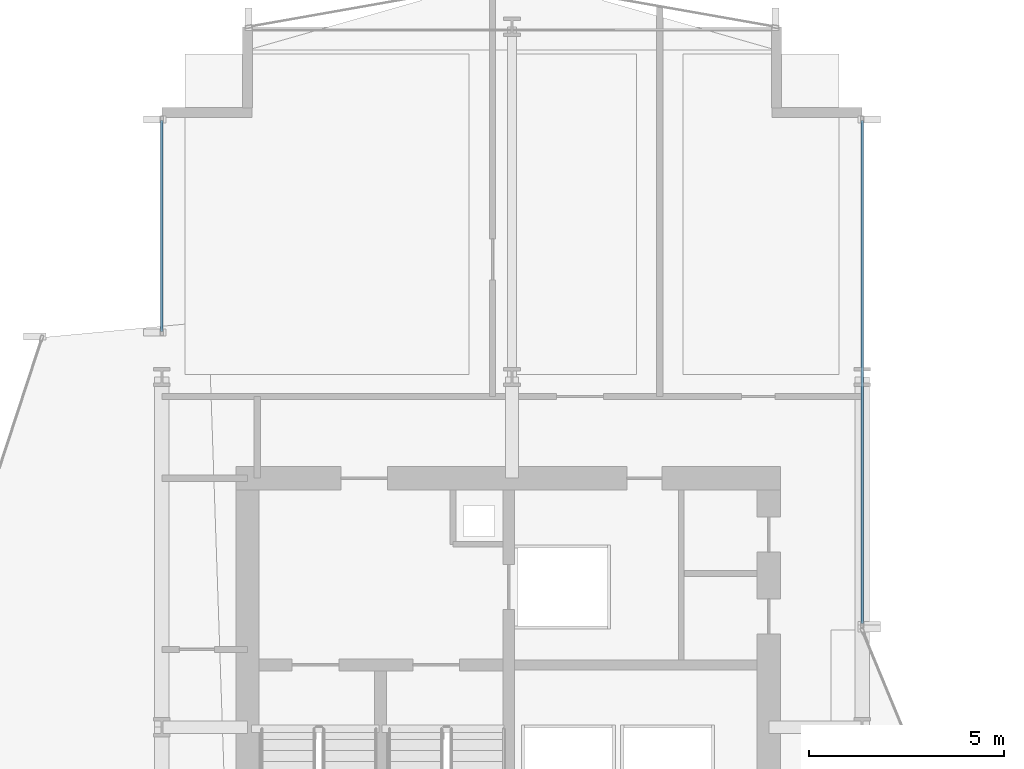
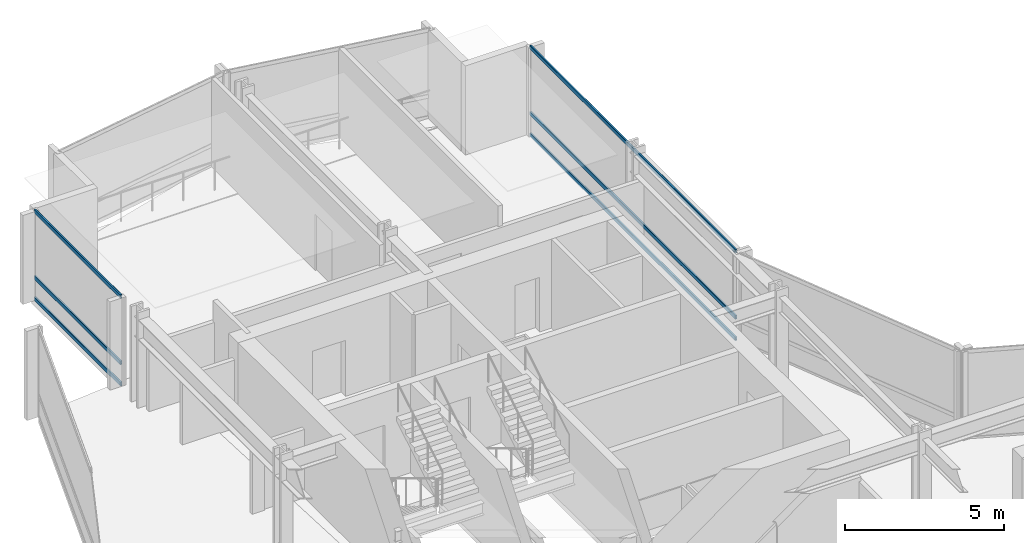
# One storey, part 22 of 34: 6 members, 2 elements without a shape of their own.
"""IFC4 building model written with IfcOpenShell, lengths in metres."""

from ifc_helpers import new_model, si_unit, direction, frame, origin, origin_2d, place, context, subcontext, project, spatial, hollow_rectangle, extrude, material, layer, layer_set, material_profile, profile_set, type_object, element, aggregate, save


model = new_model("IFC4")

# Units and contexts
model_context = context("Model", 3, precision=1e-05, world=origin(), true_north=direction((0.0, 1.0)))
body_context = subcontext(model_context, "Body", "Model", "MODEL_VIEW")
ifc_project = project(units=[si_unit("LENGTHUNIT", "METRE"), si_unit("AREAUNIT", "SQUARE_METRE"), si_unit("VOLUMEUNIT", "CUBIC_METRE"), si_unit("PLANEANGLEUNIT", "RADIAN"), si_unit("MASSUNIT", "GRAM", prefix="KILO")], contexts=[model_context])

# Site, building, storey
site_placement = place(None, origin())
site = spatial("IfcSite", under=ifc_project, at=site_placement, CompositionType="ELEMENT")
building_placement = place(site_placement, origin())
building = spatial("IfcBuilding", under=site, at=building_placement, Name="Solvaryn Broadcast Tower", CompositionType="ELEMENT")
storey_placement = place(building_placement, frame((0.0, 0.0, 65.60009765625)))
storey = spatial("IfcBuildingStorey", under=building, at=storey_placement, Name="L15", CompositionType="ELEMENT", Elevation=65.60009765625)

# Curtain wall, members
ifc_material_1 = material(Name="Aluminium and Terracotta Unitised Curtain Wall", Category="masonry")
ifc_layer = layer(ifc_material_1, 0.199951171875)
ifc_layer_set = layer_set([ifc_layer], Name="CW-SYS2-LOWMID")
curtain_wall_type = type_object("IfcCurtainWallType", Name="CW-SYS2-LOWMID", PredefinedType="NOTDEFINED", material=ifc_layer_set)
curtain_wall_1_placement = place(storey_placement, origin())
curtain_wall_1 = element("IfcCurtainWall", 1, at=curtain_wall_1_placement, inside=storey, type_object=curtain_wall_type, Name="L15 Curtain Wall W2", PredefinedType="NOTDEFINED")
ifc_material_2 = material(Name="Anodised Aluminium 6063-T6", Category="aluminium")
ifc_material_profile = material_profile(ifc_material_2, hollow_rectangle(XDim=0.06494140625, YDim=0.14990234375, WallThickness=0.00390625, InnerFilletRadius=0.00390625, OuterFilletRadius=0.008056640625, at=origin_2d()))
ifc_profile_set = profile_set([ifc_material_profile], Name="Anodised Aluminium 6063-T6")
member_type = type_object("IfcMemberType", Name="CW-TRN-150", PredefinedType="USERDEFINED", material=ifc_profile_set)
member_1_placement = place(storey_placement, frame((9.0, 46.176025390625, 0.02978515625), z_axis=(0.0, 1.0, 0.0), x_axis=(-1.0, 0.0, 0.0)))
member_1 = element("IfcMember", 2, at=member_1_placement, type_object=member_type, Name="CWS2 transom 1.1", ObjectType="TRANSOM", PredefinedType="USERDEFINED", context=body_context, shape_type="SweptSolid", body=[
    extrude(hollow_rectangle(XDim=0.06494140625, YDim=0.14990234375, WallThickness=0.00390625, InnerFilletRadius=0.00390625, OuterFilletRadius=0.008056640625, at=origin_2d()), origin(), (0.0, 0.0, 1.0), 5.4140625),
])
member_2_placement = place(storey_placement, frame((9.0, 46.176025390625, 0.849853515625), z_axis=(0.0, 1.0, 0.0), x_axis=(-1.0, 0.0, 0.0)))
member_2 = element("IfcMember", 3, at=member_2_placement, type_object=member_type, Name="CWS2 transom 1.2", ObjectType="TRANSOM", PredefinedType="USERDEFINED", context=body_context, shape_type="SweptSolid", body=[
    extrude(hollow_rectangle(XDim=0.06494140625, YDim=0.14990234375, WallThickness=0.00390625, InnerFilletRadius=0.00390625, OuterFilletRadius=0.008056640625, at=origin_2d()), origin(), (0.0, 0.0, 1.0), 5.4140625),
])
member_3_placement = place(storey_placement, frame((9.0, 46.176025390625, 3.389892578125), z_axis=(0.0, 1.0, 0.0), x_axis=(-1.0, 0.0, 0.0)))
member_3 = element("IfcMember", 4, at=member_3_placement, type_object=member_type, Name="CWS2 transom 1.3", ObjectType="TRANSOM", PredefinedType="USERDEFINED", context=body_context, shape_type="SweptSolid", body=[
    extrude(hollow_rectangle(XDim=0.06494140625, YDim=0.14990234375, WallThickness=0.00390625, InnerFilletRadius=0.00390625, OuterFilletRadius=0.008056640625, at=origin_2d()), origin(), (0.0, 0.0, 1.0), 5.4140625),
])
aggregate(curtain_wall_1, [member_1, member_2, member_3])

curtain_wall_2_placement = place(storey_placement, origin())
curtain_wall_2 = element("IfcCurtainWall", 5, at=curtain_wall_2_placement, inside=storey, type_object=curtain_wall_type, Name="L15 Curtain Wall IV", PredefinedType="NOTDEFINED")
member_4_placement = place(storey_placement, frame((27.0, 51.590087890625, 0.02978515625), z_axis=(0.0, -1.0, 0.0), x_axis=(1.0, 0.0, 0.0)))
member_4 = element("IfcMember", 6, at=member_4_placement, type_object=member_type, Name="CWS2 transom 1.1", ObjectType="TRANSOM", PredefinedType="USERDEFINED", context=body_context, shape_type="SweptSolid", body=[
    extrude(hollow_rectangle(XDim=0.06494140625, YDim=0.14990234375, WallThickness=0.00390625, InnerFilletRadius=0.00390625, OuterFilletRadius=0.008056640625, at=origin_2d()), origin(), (0.0, 0.0, 1.0), 12.93017578125),
])
member_5_placement = place(storey_placement, frame((27.0, 51.590087890625, 0.849853515625), z_axis=(0.0, -1.0, 0.0), x_axis=(1.0, 0.0, 0.0)))
member_5 = element("IfcMember", 7, at=member_5_placement, type_object=member_type, Name="CWS2 transom 1.2", ObjectType="TRANSOM", PredefinedType="USERDEFINED", context=body_context, shape_type="SweptSolid", body=[
    extrude(hollow_rectangle(XDim=0.06494140625, YDim=0.14990234375, WallThickness=0.00390625, InnerFilletRadius=0.00390625, OuterFilletRadius=0.008056640625, at=origin_2d()), origin(), (0.0, 0.0, 1.0), 12.93017578125),
])
member_6_placement = place(storey_placement, frame((27.0, 51.590087890625, 3.389892578125), z_axis=(0.0, -1.0, 0.0), x_axis=(1.0, 0.0, 0.0)))
member_6 = element("IfcMember", 8, at=member_6_placement, type_object=member_type, Name="CWS2 transom 1.3", ObjectType="TRANSOM", PredefinedType="USERDEFINED", context=body_context, shape_type="SweptSolid", body=[
    extrude(hollow_rectangle(XDim=0.06494140625, YDim=0.14990234375, WallThickness=0.00390625, InnerFilletRadius=0.00390625, OuterFilletRadius=0.008056640625, at=origin_2d()), origin(), (0.0, 0.0, 1.0), 12.93017578125),
])
aggregate(curtain_wall_2, [member_4, member_5, member_6])

save(model, "model.ifc")
